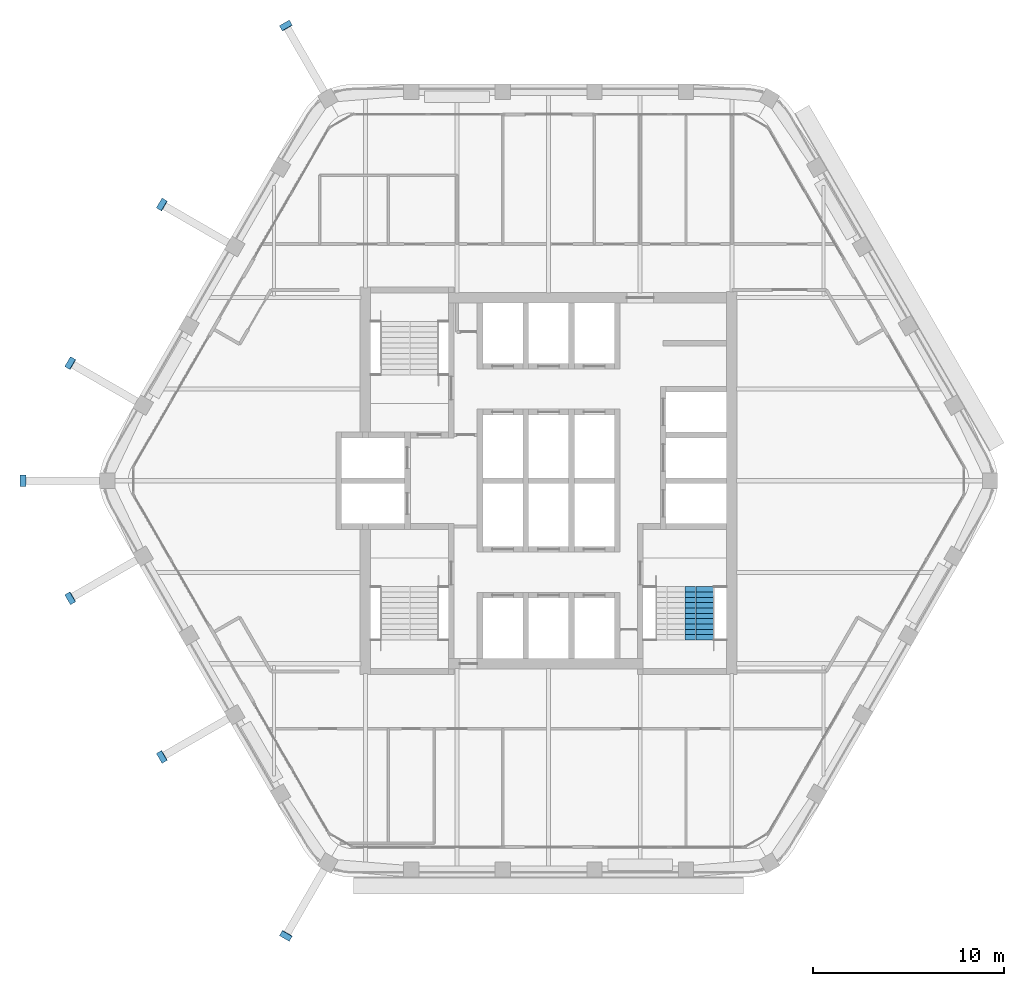
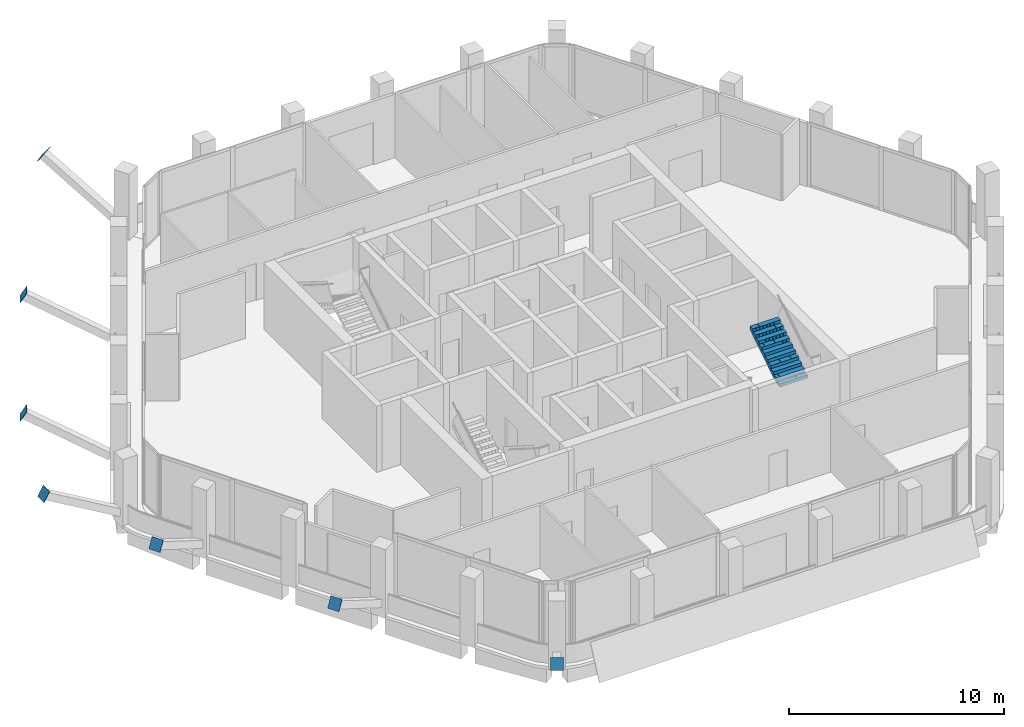
# One storey, part 12 of 14: 7 discrete accessories, 1 stair flight, 1 element without a shape of its own.
"""IFC4 building model written with IfcOpenShell, lengths in metres."""

from ifc_helpers import new_model, si_unit, direction, frame, origin, origin_2d, place, context, subcontext, project, spatial, polyline, rectangle, outline, extrude, material, type_object, element, aggregate, save


model = new_model("IFC4")

# Units and contexts
model_context = context("Model", 3, precision=1e-05, world=origin(), true_north=direction((0.0, 1.0)))
body_context = subcontext(model_context, "Body", "Model", "MODEL_VIEW")
ifc_project = project(units=[si_unit("LENGTHUNIT", "METRE"), si_unit("AREAUNIT", "SQUARE_METRE"), si_unit("VOLUMEUNIT", "CUBIC_METRE"), si_unit("PLANEANGLEUNIT", "RADIAN"), si_unit("MASSUNIT", "GRAM", prefix="KILO")], contexts=[model_context])

# Site, building, storey
site_placement = place(None, origin())
site = spatial("IfcSite", under=ifc_project, at=site_placement, CompositionType="ELEMENT")
building_placement = place(site_placement, origin())
building = spatial("IfcBuilding", under=site, at=building_placement, Name="Kolab Exchange Tower", CompositionType="ELEMENT")
storey_placement = place(building_placement, frame((0.0, 0.0, 234.5)))
storey = spatial("IfcBuildingStorey", under=building, at=storey_placement, Name="L51", CompositionType="ELEMENT", Elevation=234.5)

# Stair, stair flight
ifc_material = material(Name="Concrete C50/60", Category="concrete")
stair_type = type_object("IfcStairType", Name="STAIR ST2 RISER 177.3", PredefinedType="HALF_TURN_STAIR", material=ifc_material)
stair_placement = place(storey_placement, origin())
stair = element("IfcStair", 1, at=stair_placement, inside=storey, type_object=stair_type, Name="Stair 2", PredefinedType="HALF_TURN_STAIR")
stair_flight_type = type_object("IfcStairFlightType", Name="STAIR FLIGHT 1500 RISER 177.3", PredefinedType="STRAIGHT", material=ifc_material)
stair_flight_placement = place(storey_placement, frame((7.8974609375, -8.35009765625, 1.949951171875), z_axis=(0.0, 0.0, 1.0), x_axis=(0.0, 1.0, 0.0)))
stair_flight = element("IfcStairFlight", 2, at=stair_flight_placement, type_object=stair_flight_type, Name="ST2 flight 2", NumberOfRisers=11, NumberOfTreads=10, PredefinedType="STRAIGHT", RiserHeight=0.177272727, TreadLength=0.28, context=body_context, shape_type="SweptSolid", body=[
    extrude(outline(polyline([(0.0, 0.0), (0.0, 0.17724609375), (0.280029296875, 0.17724609375), (0.280029296875, 0.3544921875), (0.56005859375, 0.3544921875), (0.56005859375, 0.53173828125), (0.840087890625, 0.53173828125), (0.840087890625, 0.708984375), (1.1201171875, 0.708984375), (1.1201171875, 0.886474609375), (1.39990234375, 0.886474609375), (1.39990234375, 1.063720703125), (1.679931640625, 1.063720703125), (1.679931640625, 1.240966796875), (1.9599609375, 1.240966796875), (1.9599609375, 1.418212890625), (2.239990234375, 1.418212890625), (2.239990234375, 1.595458984375), (2.52001953125, 1.595458984375), (2.52001953125, 1.772705078125), (2.800048828125, 1.772705078125), (2.800048828125, 1.949951171875), (2.800048828125, 1.59521484375), (0.2802734375, 0.0), (0.0, 0.0)])), frame((0.0, 0.75, 0.0), z_axis=(0.0, -1.0, 0.0), x_axis=(1.0, 0.0, 0.0)), (0.0, 0.0, 1.0), 0.185791015625),
    extrude(outline(polyline([(0.0, 0.0), (0.0, 0.17724609375), (0.280029296875, 0.17724609375), (0.280029296875, 0.3544921875), (0.56005859375, 0.3544921875), (0.56005859375, 0.53173828125), (0.840087890625, 0.53173828125), (0.840087890625, 0.708984375), (1.1201171875, 0.708984375), (1.1201171875, 0.886474609375), (1.39990234375, 0.886474609375), (1.39990234375, 1.063720703125), (1.679931640625, 1.063720703125), (1.679931640625, 1.240966796875), (1.9599609375, 1.240966796875), (1.9599609375, 1.418212890625), (2.239990234375, 1.418212890625), (2.239990234375, 1.595458984375), (2.52001953125, 1.595458984375), (2.52001953125, 1.772705078125), (2.800048828125, 1.772705078125), (2.800048828125, 1.949951171875), (2.800048828125, 1.59521484375), (0.2802734375, 0.0), (0.0, 0.0)])), frame((0.0, 0.562255859375, 0.0), z_axis=(0.0, -1.0, 0.0), x_axis=(1.0, 0.0, 0.0)), (0.0, 0.0, 1.0), 0.185791015625),
    extrude(outline(polyline([(0.0, 0.0), (0.0, 0.17724609375), (0.280029296875, 0.17724609375), (0.280029296875, 0.3544921875), (0.56005859375, 0.3544921875), (0.56005859375, 0.53173828125), (0.840087890625, 0.53173828125), (0.840087890625, 0.708984375), (1.1201171875, 0.708984375), (1.1201171875, 0.886474609375), (1.39990234375, 0.886474609375), (1.39990234375, 1.063720703125), (1.679931640625, 1.063720703125), (1.679931640625, 1.240966796875), (1.9599609375, 1.240966796875), (1.9599609375, 1.418212890625), (2.239990234375, 1.418212890625), (2.239990234375, 1.595458984375), (2.52001953125, 1.595458984375), (2.52001953125, 1.772705078125), (2.800048828125, 1.772705078125), (2.800048828125, 1.949951171875), (2.800048828125, 1.59521484375), (0.2802734375, 0.0), (0.0, 0.0)])), frame((0.0, 0.37451171875, 0.0), z_axis=(0.0, -1.0, 0.0), x_axis=(1.0, 0.0, 0.0)), (0.0, 0.0, 1.0), 0.185791015625),
    extrude(outline(polyline([(0.0, 0.0), (0.0, 0.17724609375), (0.280029296875, 0.17724609375), (0.280029296875, 0.3544921875), (0.56005859375, 0.3544921875), (0.56005859375, 0.53173828125), (0.840087890625, 0.53173828125), (0.840087890625, 0.708984375), (1.1201171875, 0.708984375), (1.1201171875, 0.886474609375), (1.39990234375, 0.886474609375), (1.39990234375, 1.063720703125), (1.679931640625, 1.063720703125), (1.679931640625, 1.240966796875), (1.9599609375, 1.240966796875), (1.9599609375, 1.418212890625), (2.239990234375, 1.418212890625), (2.239990234375, 1.595458984375), (2.52001953125, 1.595458984375), (2.52001953125, 1.772705078125), (2.800048828125, 1.772705078125), (2.800048828125, 1.949951171875), (2.800048828125, 1.59521484375), (0.2802734375, 0.0), (0.0, 0.0)])), frame((0.0, 0.186767578125, 0.0), z_axis=(0.0, -1.0, 0.0), x_axis=(1.0, 0.0, 0.0)), (0.0, 0.0, 1.0), 0.185791015625),
    extrude(outline(polyline([(0.0, 0.0), (0.0, 0.17724609375), (0.280029296875, 0.17724609375), (0.280029296875, 0.3544921875), (0.56005859375, 0.3544921875), (0.56005859375, 0.53173828125), (0.840087890625, 0.53173828125), (0.840087890625, 0.708984375), (1.1201171875, 0.708984375), (1.1201171875, 0.886474609375), (1.39990234375, 0.886474609375), (1.39990234375, 1.063720703125), (1.679931640625, 1.063720703125), (1.679931640625, 1.240966796875), (1.9599609375, 1.240966796875), (1.9599609375, 1.418212890625), (2.239990234375, 1.418212890625), (2.239990234375, 1.595458984375), (2.52001953125, 1.595458984375), (2.52001953125, 1.772705078125), (2.800048828125, 1.772705078125), (2.800048828125, 1.949951171875), (2.800048828125, 1.59521484375), (0.2802734375, 0.0), (0.0, 0.0)])), frame((0.0, -0.0009765625, 0.0), z_axis=(0.0, -1.0, 0.0), x_axis=(1.0, 0.0, 0.0)), (0.0, 0.0, 1.0), 0.185791015625),
    extrude(outline(polyline([(0.0, 0.0), (0.0, 0.17724609375), (0.280029296875, 0.17724609375), (0.280029296875, 0.3544921875), (0.56005859375, 0.3544921875), (0.56005859375, 0.53173828125), (0.840087890625, 0.53173828125), (0.840087890625, 0.708984375), (1.1201171875, 0.708984375), (1.1201171875, 0.886474609375), (1.39990234375, 0.886474609375), (1.39990234375, 1.063720703125), (1.679931640625, 1.063720703125), (1.679931640625, 1.240966796875), (1.9599609375, 1.240966796875), (1.9599609375, 1.418212890625), (2.239990234375, 1.418212890625), (2.239990234375, 1.595458984375), (2.52001953125, 1.595458984375), (2.52001953125, 1.772705078125), (2.800048828125, 1.772705078125), (2.800048828125, 1.949951171875), (2.800048828125, 1.59521484375), (0.2802734375, 0.0), (0.0, 0.0)])), frame((0.0, -0.188720703125, 0.0), z_axis=(0.0, -1.0, 0.0), x_axis=(1.0, 0.0, 0.0)), (0.0, 0.0, 1.0), 0.185791015625),
    extrude(outline(polyline([(0.0, 0.0), (0.0, 0.17724609375), (0.280029296875, 0.17724609375), (0.280029296875, 0.3544921875), (0.56005859375, 0.3544921875), (0.56005859375, 0.53173828125), (0.840087890625, 0.53173828125), (0.840087890625, 0.708984375), (1.1201171875, 0.708984375), (1.1201171875, 0.886474609375), (1.39990234375, 0.886474609375), (1.39990234375, 1.063720703125), (1.679931640625, 1.063720703125), (1.679931640625, 1.240966796875), (1.9599609375, 1.240966796875), (1.9599609375, 1.418212890625), (2.239990234375, 1.418212890625), (2.239990234375, 1.595458984375), (2.52001953125, 1.595458984375), (2.52001953125, 1.772705078125), (2.800048828125, 1.772705078125), (2.800048828125, 1.949951171875), (2.800048828125, 1.59521484375), (0.2802734375, 0.0), (0.0, 0.0)])), frame((0.0, -0.37646484375, 0.0), z_axis=(0.0, -1.0, 0.0), x_axis=(1.0, 0.0, 0.0)), (0.0, 0.0, 1.0), 0.185791015625),
    extrude(outline(polyline([(0.0, 0.0), (0.0, 0.17724609375), (0.280029296875, 0.17724609375), (0.280029296875, 0.3544921875), (0.56005859375, 0.3544921875), (0.56005859375, 0.53173828125), (0.840087890625, 0.53173828125), (0.840087890625, 0.708984375), (1.1201171875, 0.708984375), (1.1201171875, 0.886474609375), (1.39990234375, 0.886474609375), (1.39990234375, 1.063720703125), (1.679931640625, 1.063720703125), (1.679931640625, 1.240966796875), (1.9599609375, 1.240966796875), (1.9599609375, 1.418212890625), (2.239990234375, 1.418212890625), (2.239990234375, 1.595458984375), (2.52001953125, 1.595458984375), (2.52001953125, 1.772705078125), (2.800048828125, 1.772705078125), (2.800048828125, 1.949951171875), (2.800048828125, 1.59521484375), (0.2802734375, 0.0), (0.0, 0.0)])), frame((0.0, -0.564208984375, 0.0), z_axis=(0.0, -1.0, 0.0), x_axis=(1.0, 0.0, 0.0)), (0.0, 0.0, 1.0), 0.185791015625),
])
aggregate(stair, [stair_flight])

# Discrete accessories
discrete_accessory_1_placement = place(storey_placement, frame((-13.767822265625, -23.8466796875, 2.968017578125), z_axis=(-0.435887741827, -0.745852358238, 0.503692501667), x_axis=(0.863371944127, -0.504568019295, 0.0)))
element("IfcDiscreteAccessory", 3, at=discrete_accessory_1_placement, inside=storey, Name="Gusset plate", ObjectType="GUSSET PLATE", PredefinedType="USERDEFINED", context=body_context, shape_type="SweptSolid", body=[
    extrude(rectangle(XDim=0.60009765625, YDim=0.60009765625, at=origin_2d()), origin(), (0.0, 0.0, 1.0), 0.025146484375),
])
for number, where, z_axis, x_axis, name in (
    (4, (-20.26416015625, -14.470703125, 2.968017578125), (-0.741507527042, -0.439050509433, 0.507347255345), (0.509492006668, -0.860475389039, 0.0), "Gusset plate"),
    (5, (-25.064208984375, -6.156982421875, 2.968017578125), (-0.744668711586, -0.431123990918, 0.509510171085), (0.501036270542, -0.865426285481, 0.0), "Gusset plate"),
):
    element("IfcDiscreteAccessory", number, at=place(storey_placement, frame(where, z_axis=z_axis, x_axis=x_axis)), inside=storey, Name=name, ObjectType="GUSSET PLATE", PredefinedType="USERDEFINED", context=body_context, shape_type="SweptSolid", body=[
        extrude(rectangle(XDim=0.60009765625, YDim=0.60009765625, at=origin_2d()), origin(), (0.0, 0.0, 1.0), 0.02490234375),
    ])
discrete_accessory_2_placement = place(storey_placement, frame((-27.535888671875, 0.0, 2.968017578125), z_axis=(-0.863426825129, 0.0, 0.504474100076), x_axis=(0.0, -1.0, 0.0)))
element("IfcDiscreteAccessory", 6, at=discrete_accessory_2_placement, inside=storey, Name="Gusset plate", ObjectType="GUSSET PLATE", PredefinedType="USERDEFINED", context=body_context, shape_type="SweptSolid", body=[
    extrude(rectangle(XDim=0.60009765625, YDim=0.60009765625, at=origin_2d()), origin(), (0.0, 0.0, 1.0), 0.025146484375),
])
for number, where, z_axis, x_axis, name in (
    (7, (-25.064208984375, 6.156982421875, 2.968017578125), (-0.744668711586, 0.431123990918, 0.509510171085), (-0.501036270542, -0.865426285481, 0.0), "Gusset plate"),
    (8, (-20.26416015625, 14.470703125, 2.968017578125), (-0.741507527042, 0.439050509433, 0.507347255345), (-0.509492006668, -0.860475389039, 0.0), "Gusset plate"),
):
    element("IfcDiscreteAccessory", number, at=place(storey_placement, frame(where, z_axis=z_axis, x_axis=x_axis)), inside=storey, Name=name, ObjectType="GUSSET PLATE", PredefinedType="USERDEFINED", context=body_context, shape_type="SweptSolid", body=[
        extrude(rectangle(XDim=0.60009765625, YDim=0.60009765625, at=origin_2d()), origin(), (0.0, 0.0, 1.0), 0.02490234375),
    ])
discrete_accessory_3_placement = place(storey_placement, frame((-13.767822265625, 23.8466796875, 2.968017578125), z_axis=(-0.435887741827, 0.745852358238, 0.503692501667), x_axis=(-0.863371944127, -0.504568019295, 0.0)))
element("IfcDiscreteAccessory", 9, at=discrete_accessory_3_placement, inside=storey, Name="Gusset plate", ObjectType="GUSSET PLATE", PredefinedType="USERDEFINED", context=body_context, shape_type="SweptSolid", body=[
    extrude(rectangle(XDim=0.60009765625, YDim=0.60009765625, at=origin_2d()), origin(), (0.0, 0.0, 1.0), 0.025146484375),
])

save(model, "model.ifc")
